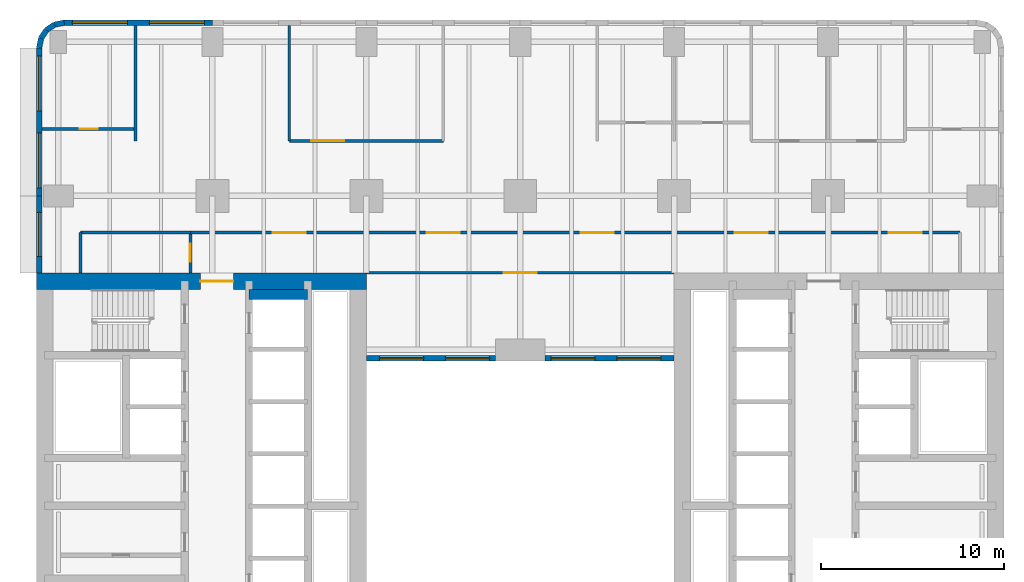
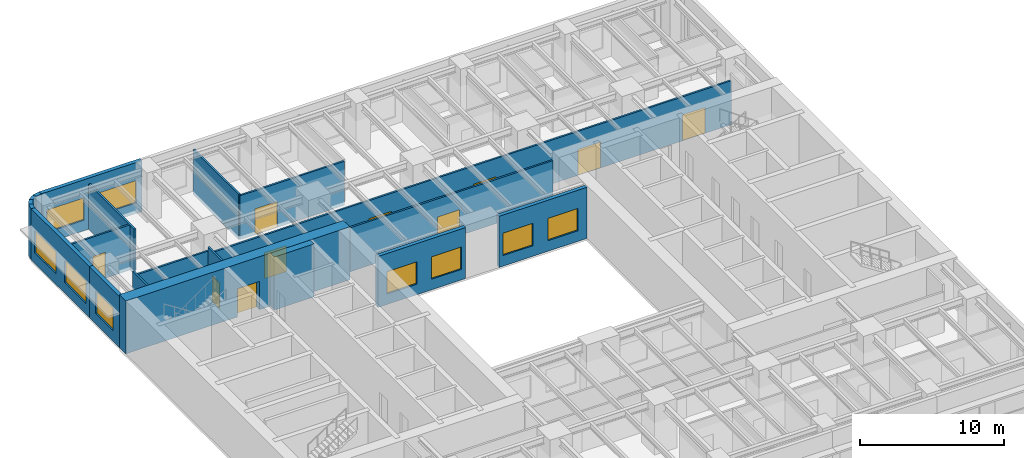
# One storey, part 6 of 14: 20 walls, 10 doors, 9 windows, 19 openings.
"""IFC4 building model written with IfcOpenShell, lengths in metres."""

from ifc_helpers import new_model, si_unit, direction, frame, frame_2d, origin, place, context, subcontext, project, spatial, rectangle, extrude, material, layer, layer_set, type_object, element, fill, save


model = new_model("IFC4")

# Units and contexts
model_context = context("Model", 3, precision=1e-05, world=origin(), true_north=direction((0.0, 1.0)))
body_context = subcontext(model_context, "Body", "Model", "MODEL_VIEW")
ifc_project = project(units=[si_unit("LENGTHUNIT", "METRE"), si_unit("AREAUNIT", "SQUARE_METRE"), si_unit("VOLUMEUNIT", "CUBIC_METRE"), si_unit("PLANEANGLEUNIT", "RADIAN"), si_unit("MASSUNIT", "GRAM", prefix="KILO")], contexts=[model_context])

# Site, building, storey
site_placement = place(None, origin())
site = spatial("IfcSite", under=ifc_project, at=site_placement, CompositionType="ELEMENT")
building_placement = place(site_placement, origin())
building = spatial("IfcBuilding", under=site, at=building_placement, Name="Claustro Exchange Tower", CompositionType="ELEMENT")
storey_placement = place(building_placement, frame((0.0, 0.0, 32.39990234375)))
storey = spatial("IfcBuildingStorey", under=building, at=storey_placement, Name="L07", CompositionType="ELEMENT", Elevation=32.39990234375)

# Wall, opening, door
ifc_material_1 = material(Name="Gypsum board on steel studs", Category="steel")
ifc_layer_1 = layer(ifc_material_1, 0.14990234375)
ifc_layer_set_1 = layer_set([ifc_layer_1], Name="Gypsum board on steel studs")
wall_type_1 = type_object("IfcWallType", Name="P1 150 plasterboard partition", PredefinedType="PARTITIONING", material=ifc_layer_set_1)
wall_1_placement = place(storey_placement, frame((-0.902099609375, 45.64990234375, 0.0), z_axis=(0.0, 0.0, 1.0), x_axis=(1.0, 0.0, 0.0)))
wall_1 = element("IfcWall", 1, at=wall_1_placement, inside=storey, type_object=wall_type_1, Name="Partition P1 L07", PredefinedType="PARTITIONING", context=body_context, shape_type="SweptSolid", body=[
    extrude(rectangle(XDim=5.028076171875, YDim=0.14990234375, at=frame_2d((2.51416015625, 0.0))), origin(), (0.0, 0.0, 1.0), 3.840087890625),
])
opening_1_placement = place(wall_1_placement, frame((2.052001953125, 0.0, 0.0)))
opening_1 = element("IfcOpeningElement", 2, at=opening_1_placement, cuts=wall_1, Name="Opening D1", PredefinedType="OPENING", context=body_context, shape_type="SweptSolid", body=[
    extrude(rectangle(XDim=1.0, YDim=2.199951171875, at=frame_2d((0.5, 1.10009765625))), frame((0.0, 0.0849609375, 0.0), z_axis=(0.0, -1.0, 0.0), x_axis=(1.0, 0.0, 0.0)), (0.0, 0.0, 1.0), 0.169921875),
])
ifc_material_2 = material(Name="Timber door, oak veneer", Category="wood")
door_type_1 = type_object("IfcDoorType", Name="D1 1000 x 2200 single door", OperationType="SINGLE_SWING_LEFT", PredefinedType="DOOR", material=ifc_material_2)
door_1_placement = place(opening_1_placement, origin())
door_1 = element("IfcDoor", 3, at=door_1_placement, inside=storey, type_object=door_type_1, Name="Door D1 L07", OperationType="SINGLE_SWING_RIGHT", OverallHeight=2.199951171875, OverallWidth=1.0, PredefinedType="DOOR", context=body_context, shape_type="SweptSolid", body=[
    extrude(rectangle(XDim=1.0, YDim=2.199951171875, at=frame_2d((0.5, 1.10009765625))), frame((0.0, 0.02490234375, 0.0), z_axis=(0.0, -1.0, 0.0), x_axis=(1.0, 0.0, 0.0)), (0.0, 0.0, 1.0), 0.050048828125),
])
fill(opening_1, door_1)

# Wall
wall_2_placement = place(storey_placement, frame((4.199951171875, 45.0, 0.0), z_axis=(0.0, 0.0, 1.0), x_axis=(0.0, 1.0, 0.0)))
element("IfcWall", 4, at=wall_2_placement, inside=storey, type_object=wall_type_1, Name="Partition P1 L07", PredefinedType="PARTITIONING", context=body_context, shape_type="SweptSolid", body=[
    extrude(rectangle(XDim=6.302001953125, YDim=0.14990234375, at=frame_2d((3.15087890625, 0.0))), origin(), (0.0, 0.0, 1.0), 3.840087890625),
])

# Wall, opening, door
wall_3_placement = place(storey_placement, frame((12.60009765625, 45.0, 0.0), z_axis=(0.0, 0.0, 1.0), x_axis=(1.0, 0.0, 0.0)))
wall_3 = element("IfcWall", 5, at=wall_3_placement, inside=storey, type_object=wall_type_1, Name="Partition P1 L07", PredefinedType="PARTITIONING", context=body_context, shape_type="SweptSolid", body=[
    extrude(rectangle(XDim=8.39990234375, YDim=0.14990234375, at=frame_2d((4.199951171875, 0.0))), origin(), (0.0, 0.0, 1.0), 3.739990234375),
])
opening_2_placement = place(wall_3_placement, frame((1.199951171875, 0.0, 0.0)))
opening_2 = element("IfcOpeningElement", 6, at=opening_2_placement, cuts=wall_3, Name="Opening D2", PredefinedType="OPENING", context=body_context, shape_type="SweptSolid", body=[
    extrude(rectangle(XDim=1.800048828125, YDim=2.199951171875, at=frame_2d((0.89990234375, 1.10009765625))), frame((0.0, 0.0849609375, 0.0), z_axis=(0.0, -1.0, 0.0), x_axis=(1.0, 0.0, 0.0)), (0.0, 0.0, 1.0), 0.169921875),
])
ifc_material_3 = material(Name="Timber door, oak veneer", Category="wood")
door_type_2 = type_object("IfcDoorType", Name="D2 1800 x 2200 double door", OperationType="DOUBLE_DOOR_SINGLE_SWING", PredefinedType="DOOR", material=ifc_material_3)
door_2_placement = place(opening_2_placement, origin())
door_2 = element("IfcDoor", 7, at=door_2_placement, inside=storey, type_object=door_type_2, Name="Double door D2 L07", OperationType="DOUBLE_DOOR_SINGLE_SWING", OverallHeight=2.199951171875, OverallWidth=1.800048828125, PredefinedType="DOOR", context=body_context, shape_type="SweptSolid", body=[
    extrude(rectangle(XDim=1.800048828125, YDim=2.199951171875, at=frame_2d((0.89990234375, 1.10009765625))), frame((0.0, 0.02490234375, 0.0), z_axis=(0.0, -1.0, 0.0), x_axis=(1.0, 0.0, 0.0)), (0.0, 0.0, 1.0), 0.050048828125),
])
fill(opening_2, door_2)

# Wall
wall_4_placement = place(storey_placement, frame((12.60009765625, 45.0, 0.0), z_axis=(0.0, 0.0, 1.0), x_axis=(0.0, 1.0, 0.0)))
element("IfcWall", 8, at=wall_4_placement, inside=storey, type_object=wall_type_1, Name="Partition P1 L07", PredefinedType="PARTITIONING", context=body_context, shape_type="SweptSolid", body=[
    extrude(rectangle(XDim=6.302001953125, YDim=0.14990234375, at=frame_2d((3.15087890625, 0.0))), origin(), (0.0, 0.0, 1.0), 3.840087890625),
])

# Wall, openings, doors
wall_5_placement = place(storey_placement, frame((7.197998046875, 40.0, 0.0), z_axis=(0.0, 0.0, 1.0), x_axis=(1.0, 0.0, 0.0)))
wall_5 = element("IfcWall", 9, at=wall_5_placement, inside=storey, type_object=wall_type_1, Name="Partition P1 L07", PredefinedType="PARTITIONING", context=body_context, shape_type="SweptSolid", body=[
    extrude(rectangle(XDim=42.001953125, YDim=0.14990234375, at=frame_2d((21.0009765625, 0.0))), origin(), (0.0, 0.0, 1.0), 3.739990234375),
])
opening_3_placement = place(wall_5_placement, frame((4.501953125, 0.0, 0.0)))
opening_3 = element("IfcOpeningElement", 10, at=opening_3_placement, cuts=wall_5, Name="Opening D2", PredefinedType="OPENING", context=body_context, shape_type="SweptSolid", body=[
    extrude(rectangle(XDim=1.800048828125, YDim=2.199951171875, at=frame_2d((0.89990234375, 1.10009765625))), frame((0.0, 0.0849609375, 0.0), z_axis=(0.0, -1.0, 0.0), x_axis=(1.0, 0.0, 0.0)), (0.0, 0.0, 1.0), 0.169921875),
])
opening_4_placement = place(wall_5_placement, frame((12.902099609375, 0.0, 0.0)))
opening_4 = element("IfcOpeningElement", 11, at=opening_4_placement, cuts=wall_5, Name="Opening D2", PredefinedType="OPENING", context=body_context, shape_type="SweptSolid", body=[
    extrude(rectangle(XDim=1.800048828125, YDim=2.199951171875, at=frame_2d((0.89990234375, 1.10009765625))), frame((0.0, 0.0849609375, 0.0), z_axis=(0.0, -1.0, 0.0), x_axis=(1.0, 0.0, 0.0)), (0.0, 0.0, 1.0), 0.169921875),
])
opening_5_placement = place(wall_5_placement, frame((21.302001953125, 0.0, 0.0)))
opening_5 = element("IfcOpeningElement", 12, at=opening_5_placement, cuts=wall_5, Name="Opening D2", PredefinedType="OPENING", context=body_context, shape_type="SweptSolid", body=[
    extrude(rectangle(XDim=1.800048828125, YDim=2.199951171875, at=frame_2d((0.89990234375, 1.10009765625))), frame((0.0, 0.0849609375, 0.0), z_axis=(0.0, -1.0, 0.0), x_axis=(1.0, 0.0, 0.0)), (0.0, 0.0, 1.0), 0.169921875),
])
opening_6_placement = place(wall_5_placement, frame((29.701904296875, 0.0, 0.0)))
opening_6 = element("IfcOpeningElement", 13, at=opening_6_placement, cuts=wall_5, Name="Opening D2", PredefinedType="OPENING", context=body_context, shape_type="SweptSolid", body=[
    extrude(rectangle(XDim=1.800048828125, YDim=2.199951171875, at=frame_2d((0.89990234375, 1.10009765625))), frame((0.0, 0.0849609375, 0.0), z_axis=(0.0, -1.0, 0.0), x_axis=(1.0, 0.0, 0.0)), (0.0, 0.0, 1.0), 0.169921875),
])
opening_7_placement = place(wall_5_placement, frame((38.10205078125, 0.0, 0.0)))
opening_7 = element("IfcOpeningElement", 14, at=opening_7_placement, cuts=wall_5, Name="Opening D2", PredefinedType="OPENING", context=body_context, shape_type="SweptSolid", body=[
    extrude(rectangle(XDim=1.800048828125, YDim=2.199951171875, at=frame_2d((0.89990234375, 1.10009765625))), frame((0.0, 0.0849609375, 0.0), z_axis=(0.0, -1.0, 0.0), x_axis=(1.0, 0.0, 0.0)), (0.0, 0.0, 1.0), 0.169921875),
])
door_3_placement = place(opening_3_placement, origin())
door_3 = element("IfcDoor", 15, at=door_3_placement, inside=storey, type_object=door_type_2, Name="Double door D2 L07", OperationType="DOUBLE_DOOR_SINGLE_SWING", OverallHeight=2.199951171875, OverallWidth=1.800048828125, PredefinedType="DOOR", context=body_context, shape_type="SweptSolid", body=[
    extrude(rectangle(XDim=1.800048828125, YDim=2.199951171875, at=frame_2d((0.89990234375, 1.10009765625))), frame((0.0, 0.02490234375, 0.0), z_axis=(0.0, -1.0, 0.0), x_axis=(1.0, 0.0, 0.0)), (0.0, 0.0, 1.0), 0.050048828125),
])
fill(opening_3, door_3)
door_4_placement = place(opening_4_placement, origin())
door_4 = element("IfcDoor", 16, at=door_4_placement, inside=storey, type_object=door_type_2, Name="Double door D2 L07", OperationType="DOUBLE_DOOR_SINGLE_SWING", OverallHeight=2.199951171875, OverallWidth=1.800048828125, PredefinedType="DOOR", context=body_context, shape_type="SweptSolid", body=[
    extrude(rectangle(XDim=1.800048828125, YDim=2.199951171875, at=frame_2d((0.89990234375, 1.10009765625))), frame((0.0, 0.02490234375, 0.0), z_axis=(0.0, -1.0, 0.0), x_axis=(1.0, 0.0, 0.0)), (0.0, 0.0, 1.0), 0.050048828125),
])
fill(opening_4, door_4)
door_5_placement = place(opening_5_placement, origin())
door_5 = element("IfcDoor", 17, at=door_5_placement, inside=storey, type_object=door_type_2, Name="Double door D2 L07", OperationType="DOUBLE_DOOR_SINGLE_SWING", OverallHeight=2.199951171875, OverallWidth=1.800048828125, PredefinedType="DOOR", context=body_context, shape_type="SweptSolid", body=[
    extrude(rectangle(XDim=1.800048828125, YDim=2.199951171875, at=frame_2d((0.89990234375, 1.10009765625))), frame((0.0, 0.02490234375, 0.0), z_axis=(0.0, -1.0, 0.0), x_axis=(1.0, 0.0, 0.0)), (0.0, 0.0, 1.0), 0.050048828125),
])
fill(opening_5, door_5)
door_6_placement = place(opening_6_placement, origin())
door_6 = element("IfcDoor", 18, at=door_6_placement, inside=storey, type_object=door_type_2, Name="Double door D2 L07", OperationType="DOUBLE_DOOR_SINGLE_SWING", OverallHeight=2.199951171875, OverallWidth=1.800048828125, PredefinedType="DOOR", context=body_context, shape_type="SweptSolid", body=[
    extrude(rectangle(XDim=1.800048828125, YDim=2.199951171875, at=frame_2d((0.89990234375, 1.10009765625))), frame((0.0, 0.02490234375, 0.0), z_axis=(0.0, -1.0, 0.0), x_axis=(1.0, 0.0, 0.0)), (0.0, 0.0, 1.0), 0.050048828125),
])
fill(opening_6, door_6)
door_7_placement = place(opening_7_placement, origin())
door_7 = element("IfcDoor", 19, at=door_7_placement, inside=storey, type_object=door_type_2, Name="Double door D2 L07", OperationType="DOUBLE_DOOR_SINGLE_SWING", OverallHeight=2.199951171875, OverallWidth=1.800048828125, PredefinedType="DOOR", context=body_context, shape_type="SweptSolid", body=[
    extrude(rectangle(XDim=1.800048828125, YDim=2.199951171875, at=frame_2d((0.89990234375, 1.10009765625))), frame((0.0, 0.02490234375, 0.0), z_axis=(0.0, -1.0, 0.0), x_axis=(1.0, 0.0, 0.0)), (0.0, 0.0, 1.0), 0.050048828125),
])
fill(opening_7, door_7)

# Wall, opening, door
wall_6_placement = place(storey_placement, frame((7.199951171875, 37.800048828125, 0.0), z_axis=(0.0, 0.0, 1.0), x_axis=(0.0, 1.0, 0.0)))
wall_6 = element("IfcWall", 20, at=wall_6_placement, inside=storey, type_object=wall_type_1, Name="Partition P1 L07", PredefinedType="PARTITIONING", context=body_context, shape_type="SweptSolid", body=[
    extrude(rectangle(XDim=2.1259765625, YDim=0.14990234375, at=frame_2d((1.06298828125, 0.0))), origin(), (0.0, 0.0, 1.0), 4.340087890625),
])
opening_8_placement = place(wall_6_placement, frame((0.60009765625, 0.0, 0.0)))
opening_8 = element("IfcOpeningElement", 21, at=opening_8_placement, cuts=wall_6, Name="Opening D1", PredefinedType="OPENING", context=body_context, shape_type="SweptSolid", body=[
    extrude(rectangle(XDim=1.0, YDim=2.199951171875, at=frame_2d((0.5, 1.10009765625))), frame((0.0, 0.0849609375, 0.0), z_axis=(0.0, -1.0, 0.0), x_axis=(1.0, 0.0, 0.0)), (0.0, 0.0, 1.0), 0.169921875),
])
door_8_placement = place(opening_8_placement, origin())
door_8 = element("IfcDoor", 22, at=door_8_placement, inside=storey, type_object=door_type_1, Name="Door D1 L07", OperationType="SINGLE_SWING_LEFT", OverallHeight=2.199951171875, OverallWidth=1.0, PredefinedType="DOOR", context=body_context, shape_type="SweptSolid", body=[
    extrude(rectangle(XDim=1.0, YDim=2.199951171875, at=frame_2d((0.5, 1.10009765625))), frame((0.0, 0.02490234375, 0.0), z_axis=(0.0, -1.0, 0.0), x_axis=(1.0, 0.0, 0.0)), (0.0, 0.0, 1.0), 0.050048828125),
])
fill(opening_8, door_8)

# Walls
wall_7_placement = place(storey_placement, frame((1.199951171875, 40.0, 0.0), z_axis=(0.0, 0.0, 1.0), x_axis=(1.0, 0.0, 0.0)))
element("IfcWall", 23, at=wall_7_placement, inside=storey, type_object=wall_type_1, Name="Partition P1 L07", PredefinedType="PARTITIONING", context=body_context, shape_type="SweptSolid", body=[
    extrude(rectangle(XDim=6.001953125, YDim=0.14990234375, at=frame_2d((3.0009765625, 0.0))), origin(), (0.0, 0.0, 1.0), 3.97998046875),
])
wall_8_placement = place(storey_placement, frame((1.199951171875, 37.800048828125, 0.0), z_axis=(0.0, 0.0, 1.0), x_axis=(0.0, 1.0, 0.0)))
element("IfcWall", 24, at=wall_8_placement, inside=storey, type_object=wall_type_1, Name="Partition P1 L07", PredefinedType="PARTITIONING", context=body_context, shape_type="SweptSolid", body=[
    extrude(rectangle(XDim=2.199951171875, YDim=0.14990234375, at=frame_2d((1.10009765625, 0.0))), origin(), (0.0, 0.0, 1.0), 4.340087890625),
])

# Wall, opening, door
wall_9_placement = place(storey_placement, frame((16.798095703125, 37.800048828125, 0.0), z_axis=(0.0, 0.0, 1.0), x_axis=(1.0, 0.0, 0.0)))
wall_9 = element("IfcWall", 25, at=wall_9_placement, inside=storey, type_object=wall_type_1, Name="Partition P1 L07", PredefinedType="PARTITIONING", context=body_context, shape_type="SweptSolid", body=[
    extrude(rectangle(XDim=16.803955078125, YDim=0.14990234375, at=frame_2d((8.40185546875, 0.0))), origin(), (0.0, 0.0, 1.0), 3.739990234375),
])
opening_9_placement = place(wall_9_placement, frame((7.501953125, 0.0, 0.0)))
opening_9 = element("IfcOpeningElement", 26, at=opening_9_placement, cuts=wall_9, Name="Opening D2", PredefinedType="OPENING", context=body_context, shape_type="SweptSolid", body=[
    extrude(rectangle(XDim=1.800048828125, YDim=2.199951171875, at=frame_2d((0.89990234375, 1.10009765625))), frame((0.0, 0.0849609375, 0.0), z_axis=(0.0, -1.0, 0.0), x_axis=(1.0, 0.0, 0.0)), (0.0, 0.0, 1.0), 0.169921875),
])
door_9_placement = place(opening_9_placement, origin())
door_9 = element("IfcDoor", 27, at=door_9_placement, inside=storey, type_object=door_type_2, Name="Double door D2 L07", OperationType="DOUBLE_DOOR_SINGLE_SWING", OverallHeight=2.199951171875, OverallWidth=1.800048828125, PredefinedType="DOOR", context=body_context, shape_type="SweptSolid", body=[
    extrude(rectangle(XDim=1.800048828125, YDim=2.199951171875, at=frame_2d((0.89990234375, 1.10009765625))), frame((0.0, 0.02490234375, 0.0), z_axis=(0.0, -1.0, 0.0), x_axis=(1.0, 0.0, 0.0)), (0.0, 0.0, 1.0), 0.050048828125),
])
fill(opening_9, door_9)

# Wall, opening, window
ifc_material_4 = material(Name="Concrete HA-40 (C40/50), precast, white cement, acid-etched", Category="concrete")
ifc_layer_2 = layer(ifc_material_4, 0.300048828125)
ifc_layer_set_2 = layer_set([ifc_layer_2], Name="Concrete HA-40 (C40/50), precast, white cement, acid-etched")
wall_type_2 = type_object("IfcWallType", Name="PC1 300 precast concrete pier panel", PredefinedType="SOLIDWALL", material=ifc_layer_set_2)
wall_10_placement = place(storey_placement, frame((-1.050048828125, 37.800048828125, 0.0), z_axis=(0.0, 0.0, 1.0), x_axis=(0.0, 1.0, 0.0)))
wall_10 = element("IfcWall", 28, at=wall_10_placement, inside=storey, type_object=wall_type_2, Name="Precast pier panel PC1 L07", PredefinedType="SOLIDWALL", context=body_context, shape_type="SweptSolid", body=[
    extrude(rectangle(XDim=4.199951171875, YDim=0.300048828125, at=frame_2d((2.10009765625, 0.0))), origin(), (0.0, 0.0, 1.0), 4.340087890625),
])
opening_10_placement = place(wall_10_placement, frame((0.89990234375, 0.0, 0.89990234375)))
opening_10 = element("IfcOpeningElement", 29, at=opening_10_placement, cuts=wall_10, Name="Opening W2", PredefinedType="OPENING", context=body_context, shape_type="SweptSolid", body=[
    extrude(rectangle(XDim=2.39990234375, YDim=1.89990234375, at=frame_2d((1.199951171875, 0.949951171875))), frame((0.0, 0.159912109375, 0.0), z_axis=(0.0, -1.0, 0.0), x_axis=(1.0, 0.0, 0.0)), (0.0, 0.0, 1.0), 0.320068359375),
])
ifc_material_5 = material(Name="Aluminium frame, clear double glazing", Category="aluminium")
window_type_1 = type_object("IfcWindowType", Name="W2 2400 x 1900 window", PartitioningType="SINGLE_PANEL", PredefinedType="WINDOW", material=ifc_material_5)
window_1_placement = place(opening_10_placement, origin())
window_1 = element("IfcWindow", 30, at=window_1_placement, inside=storey, type_object=window_type_1, Name="Window W2 L07", OverallHeight=1.89990234375, OverallWidth=2.39990234375, PartitioningType="SINGLE_PANEL", PredefinedType="WINDOW", context=body_context, shape_type="SweptSolid", body=[
    extrude(rectangle(XDim=2.39990234375, YDim=1.89990234375, at=frame_2d((1.199951171875, 0.949951171875))), frame((0.0, 0.030029296875, 0.0), z_axis=(0.0, -1.0, 0.0), x_axis=(1.0, 0.0, 0.0)), (0.0, 0.0, 1.0), 0.06005859375),
])
fill(opening_10, window_1)

# Wall, openings, windows
wall_11_placement = place(storey_placement, frame((-1.050048828125, 42.0, 0.0), z_axis=(0.0, 0.0, 1.0), x_axis=(0.0, 1.0, 0.0)))
wall_11 = element("IfcWall", 31, at=wall_11_placement, inside=storey, type_object=wall_type_2, Name="Precast pier panel PC1 L07", PredefinedType="SOLIDWALL", context=body_context, shape_type="SweptSolid", body=[
    extrude(rectangle(XDim=8.085205078125, YDim=0.300048828125, at=frame_2d((4.04248046875, 0.0))), origin(), (0.0, 0.0, 1.0), 4.340087890625),
])
opening_11_placement = place(wall_11_placement, frame((0.442626953125, 0.0, 0.89990234375)))
opening_11 = element("IfcOpeningElement", 32, at=opening_11_placement, cuts=wall_11, Name="Opening W1", PredefinedType="OPENING", context=body_context, shape_type="SweptSolid", body=[
    extrude(rectangle(XDim=3.0, YDim=1.89990234375, at=frame_2d((1.5, 0.949951171875))), frame((0.0, 0.159912109375, 0.0), z_axis=(0.0, -1.0, 0.0), x_axis=(1.0, 0.0, 0.0)), (0.0, 0.0, 1.0), 0.320068359375),
])
opening_12_placement = place(wall_11_placement, frame((4.642578125, 0.0, 0.89990234375)))
opening_12 = element("IfcOpeningElement", 33, at=opening_12_placement, cuts=wall_11, Name="Opening W1", PredefinedType="OPENING", context=body_context, shape_type="SweptSolid", body=[
    extrude(rectangle(XDim=3.0, YDim=1.89990234375, at=frame_2d((1.5, 0.949951171875))), frame((0.0, 0.159912109375, 0.0), z_axis=(0.0, -1.0, 0.0), x_axis=(1.0, 0.0, 0.0)), (0.0, 0.0, 1.0), 0.320068359375),
])
ifc_material_6 = material(Name="Aluminium frame, clear double glazing", Category="aluminium")
window_type_2 = type_object("IfcWindowType", Name="W1 3000 x 1900 window", PartitioningType="SINGLE_PANEL", PredefinedType="WINDOW", material=ifc_material_6)
window_2_placement = place(opening_11_placement, origin())
window_2 = element("IfcWindow", 34, at=window_2_placement, inside=storey, type_object=window_type_2, Name="Window W1 L07", OverallHeight=1.89990234375, OverallWidth=3.0, PartitioningType="SINGLE_PANEL", PredefinedType="WINDOW", context=body_context, shape_type="SweptSolid", body=[
    extrude(rectangle(XDim=3.0, YDim=1.89990234375, at=frame_2d((1.5, 0.949951171875))), frame((0.0, 0.030029296875, 0.0), z_axis=(0.0, -1.0, 0.0), x_axis=(1.0, 0.0, 0.0)), (0.0, 0.0, 1.0), 0.06005859375),
])
fill(opening_11, window_2)
window_3_placement = place(opening_12_placement, origin())
window_3 = element("IfcWindow", 35, at=window_3_placement, inside=storey, type_object=window_type_2, Name="Window W1 L07", OverallHeight=1.89990234375, OverallWidth=3.0, PartitioningType="SINGLE_PANEL", PredefinedType="WINDOW", context=body_context, shape_type="SweptSolid", body=[
    extrude(rectangle(XDim=3.0, YDim=1.89990234375, at=frame_2d((1.5, 0.949951171875))), frame((0.0, 0.030029296875, 0.0), z_axis=(0.0, -1.0, 0.0), x_axis=(1.0, 0.0, 0.0)), (0.0, 0.0, 1.0), 0.06005859375),
])
fill(opening_12, window_3)

# Walls
wall_12_placement = place(storey_placement, frame((-1.050048828125, 50.085205078125, 0.0), z_axis=(0.0, 0.0, 1.0), x_axis=(0.195073962632, 0.980788534345, 0.0)))
element("IfcWall", 36, at=wall_12_placement, inside=storey, type_object=wall_type_2, Name="Precast pier panel PC1 L07", PredefinedType="SOLIDWALL", context=body_context, shape_type="SweptSolid", body=[
    extrude(rectangle(XDim=0.540771484375, YDim=0.300048828125, at=frame_2d((0.2705078125, 0.0))), origin(), (0.0, 0.0, 1.0), 4.340087890625),
])
for number, where, z_axis, x_axis, name in (
    (37, (-0.944580078125, 50.615478515625, 0.0), (0.0, 0.0, 1.0), (0.555557463938, 0.831478144188, 0.0), "Precast pier panel PC1 L07"),
    (38, (-0.652587890625, 51.052490234375, 0.0), (0.0, 0.0, 1.0), (0.831478144188, 0.555557463938, 0.0), "Precast pier panel PC1 L07"),
):
    element("IfcWall", number, at=place(storey_placement, frame(where, z_axis=z_axis, x_axis=x_axis)), inside=storey, type_object=wall_type_2, Name=name, PredefinedType="SOLIDWALL", context=body_context, shape_type="SweptSolid", body=[
        extrude(rectangle(XDim=0.525634765625, YDim=0.300048828125, at=frame_2d((0.2626953125, 0.0))), origin(), (0.0, 0.0, 1.0), 4.340087890625),
    ])
wall_13_placement = place(storey_placement, frame((-0.215576171875, 51.344482421875, 0.0), z_axis=(0.0, 0.0, 1.0), x_axis=(0.980788534345, 0.195073962632, 0.0)))
element("IfcWall", 39, at=wall_13_placement, inside=storey, type_object=wall_type_2, Name="Precast pier panel PC1 L07", PredefinedType="SOLIDWALL", context=body_context, shape_type="SweptSolid", body=[
    extrude(rectangle(XDim=0.540771484375, YDim=0.300048828125, at=frame_2d((0.2705078125, 0.0))), origin(), (0.0, 0.0, 1.0), 4.340087890625),
])

# Wall, openings, windows
wall_14_placement = place(storey_placement, frame((0.314697265625, 51.449951171875, 0.0), z_axis=(0.0, 0.0, 1.0), x_axis=(1.0, 0.0, 0.0)))
wall_14 = element("IfcWall", 40, at=wall_14_placement, inside=storey, type_object=wall_type_2, Name="Precast pier panel PC1 L07", PredefinedType="SOLIDWALL", context=body_context, shape_type="SweptSolid", body=[
    extrude(rectangle(XDim=8.085205078125, YDim=0.300048828125, at=frame_2d((4.04248046875, 0.0))), origin(), (0.0, 0.0, 1.0), 4.340087890625),
])
opening_13_placement = place(wall_14_placement, frame((0.442626953125, 0.0, 0.89990234375)))
opening_13 = element("IfcOpeningElement", 41, at=opening_13_placement, cuts=wall_14, Name="Opening W1", PredefinedType="OPENING", context=body_context, shape_type="SweptSolid", body=[
    extrude(rectangle(XDim=3.0, YDim=1.89990234375, at=frame_2d((1.5, 0.949951171875))), frame((0.0, 0.159912109375, 0.0), z_axis=(0.0, -1.0, 0.0), x_axis=(1.0, 0.0, 0.0)), (0.0, 0.0, 1.0), 0.320068359375),
])
opening_14_placement = place(wall_14_placement, frame((4.642578125, 0.0, 0.89990234375)))
opening_14 = element("IfcOpeningElement", 42, at=opening_14_placement, cuts=wall_14, Name="Opening W1", PredefinedType="OPENING", context=body_context, shape_type="SweptSolid", body=[
    extrude(rectangle(XDim=3.0, YDim=1.89990234375, at=frame_2d((1.5, 0.949951171875))), frame((0.0, 0.159912109375, 0.0), z_axis=(0.0, -1.0, 0.0), x_axis=(1.0, 0.0, 0.0)), (0.0, 0.0, 1.0), 0.320068359375),
])
window_4_placement = place(opening_13_placement, origin())
window_4 = element("IfcWindow", 43, at=window_4_placement, inside=storey, type_object=window_type_2, Name="Window W1 L07", OverallHeight=1.89990234375, OverallWidth=3.0, PartitioningType="SINGLE_PANEL", PredefinedType="WINDOW", context=body_context, shape_type="SweptSolid", body=[
    extrude(rectangle(XDim=3.0, YDim=1.89990234375, at=frame_2d((1.5, 0.949951171875))), frame((0.0, 0.030029296875, 0.0), z_axis=(0.0, -1.0, 0.0), x_axis=(1.0, 0.0, 0.0)), (0.0, 0.0, 1.0), 0.06005859375),
])
fill(opening_13, window_4)
window_5_placement = place(opening_14_placement, origin())
window_5 = element("IfcWindow", 44, at=window_5_placement, inside=storey, type_object=window_type_2, Name="Window W1 L07", OverallHeight=1.89990234375, OverallWidth=3.0, PartitioningType="SINGLE_PANEL", PredefinedType="WINDOW", context=body_context, shape_type="SweptSolid", body=[
    extrude(rectangle(XDim=3.0, YDim=1.89990234375, at=frame_2d((1.5, 0.949951171875))), frame((0.0, 0.030029296875, 0.0), z_axis=(0.0, -1.0, 0.0), x_axis=(1.0, 0.0, 0.0)), (0.0, 0.0, 1.0), 0.06005859375),
])
fill(opening_14, window_5)

wall_15_placement = place(storey_placement, frame((16.800048828125, 33.14990234375, 0.0), z_axis=(0.0, 0.0, 1.0), x_axis=(1.0, 0.0, 0.0)))
wall_15 = element("IfcWall", 45, at=wall_15_placement, inside=storey, type_object=wall_type_2, Name="Precast pier panel PC1 L07", PredefinedType="SOLIDWALL", context=body_context, shape_type="SweptSolid", body=[
    extrude(rectangle(XDim=7.050048828125, YDim=0.300048828125, at=frame_2d((3.52490234375, 0.0))), origin(), (0.0, 0.0, 1.0), 4.340087890625),
])
opening_15_placement = place(wall_15_placement, frame((0.72509765625, 0.0, 0.89990234375)))
opening_15 = element("IfcOpeningElement", 46, at=opening_15_placement, cuts=wall_15, Name="Opening W2", PredefinedType="OPENING", context=body_context, shape_type="SweptSolid", body=[
    extrude(rectangle(XDim=2.39990234375, YDim=1.89990234375, at=frame_2d((1.199951171875, 0.949951171875))), frame((0.0, 0.159912109375, 0.0), z_axis=(0.0, -1.0, 0.0), x_axis=(1.0, 0.0, 0.0)), (0.0, 0.0, 1.0), 0.320068359375),
])
opening_16_placement = place(wall_15_placement, frame((4.324951171875, 0.0, 0.89990234375)))
opening_16 = element("IfcOpeningElement", 47, at=opening_16_placement, cuts=wall_15, Name="Opening W2", PredefinedType="OPENING", context=body_context, shape_type="SweptSolid", body=[
    extrude(rectangle(XDim=2.39990234375, YDim=1.89990234375, at=frame_2d((1.199951171875, 0.949951171875))), frame((0.0, 0.159912109375, 0.0), z_axis=(0.0, -1.0, 0.0), x_axis=(1.0, 0.0, 0.0)), (0.0, 0.0, 1.0), 0.320068359375),
])
window_6_placement = place(opening_15_placement, origin())
window_6 = element("IfcWindow", 48, at=window_6_placement, inside=storey, type_object=window_type_1, Name="Window W2 L07", OverallHeight=1.89990234375, OverallWidth=2.39990234375, PartitioningType="SINGLE_PANEL", PredefinedType="WINDOW", context=body_context, shape_type="SweptSolid", body=[
    extrude(rectangle(XDim=2.39990234375, YDim=1.89990234375, at=frame_2d((1.199951171875, 0.949951171875))), frame((0.0, 0.030029296875, 0.0), z_axis=(0.0, -1.0, 0.0), x_axis=(1.0, 0.0, 0.0)), (0.0, 0.0, 1.0), 0.06005859375),
])
fill(opening_15, window_6)
window_7_placement = place(opening_16_placement, origin())
window_7 = element("IfcWindow", 49, at=window_7_placement, inside=storey, type_object=window_type_1, Name="Window W2 L07", OverallHeight=1.89990234375, OverallWidth=2.39990234375, PartitioningType="SINGLE_PANEL", PredefinedType="WINDOW", context=body_context, shape_type="SweptSolid", body=[
    extrude(rectangle(XDim=2.39990234375, YDim=1.89990234375, at=frame_2d((1.199951171875, 0.949951171875))), frame((0.0, 0.030029296875, 0.0), z_axis=(0.0, -1.0, 0.0), x_axis=(1.0, 0.0, 0.0)), (0.0, 0.0, 1.0), 0.06005859375),
])
fill(opening_16, window_7)

wall_16_placement = place(storey_placement, frame((26.550048828125, 33.14990234375, 0.0), z_axis=(0.0, 0.0, 1.0), x_axis=(1.0, 0.0, 0.0)))
wall_16 = element("IfcWall", 50, at=wall_16_placement, inside=storey, type_object=wall_type_2, Name="Precast pier panel PC1 L07", PredefinedType="SOLIDWALL", context=body_context, shape_type="SweptSolid", body=[
    extrude(rectangle(XDim=7.050048828125, YDim=0.300048828125, at=frame_2d((3.52490234375, 0.0))), origin(), (0.0, 0.0, 1.0), 4.340087890625),
])
opening_17_placement = place(wall_16_placement, frame((0.324951171875, 0.0, 0.89990234375)))
opening_17 = element("IfcOpeningElement", 51, at=opening_17_placement, cuts=wall_16, Name="Opening W2", PredefinedType="OPENING", context=body_context, shape_type="SweptSolid", body=[
    extrude(rectangle(XDim=2.39990234375, YDim=1.89990234375, at=frame_2d((1.199951171875, 0.949951171875))), frame((0.0, 0.159912109375, 0.0), z_axis=(0.0, -1.0, 0.0), x_axis=(1.0, 0.0, 0.0)), (0.0, 0.0, 1.0), 0.320068359375),
])
opening_18_placement = place(wall_16_placement, frame((3.925048828125, 0.0, 0.89990234375)))
opening_18 = element("IfcOpeningElement", 52, at=opening_18_placement, cuts=wall_16, Name="Opening W2", PredefinedType="OPENING", context=body_context, shape_type="SweptSolid", body=[
    extrude(rectangle(XDim=2.39990234375, YDim=1.89990234375, at=frame_2d((1.199951171875, 0.949951171875))), frame((0.0, 0.159912109375, 0.0), z_axis=(0.0, -1.0, 0.0), x_axis=(1.0, 0.0, 0.0)), (0.0, 0.0, 1.0), 0.320068359375),
])
window_8_placement = place(opening_17_placement, origin())
window_8 = element("IfcWindow", 53, at=window_8_placement, inside=storey, type_object=window_type_1, Name="Window W2 L07", OverallHeight=1.89990234375, OverallWidth=2.39990234375, PartitioningType="SINGLE_PANEL", PredefinedType="WINDOW", context=body_context, shape_type="SweptSolid", body=[
    extrude(rectangle(XDim=2.39990234375, YDim=1.89990234375, at=frame_2d((1.199951171875, 0.949951171875))), frame((0.0, 0.030029296875, 0.0), z_axis=(0.0, -1.0, 0.0), x_axis=(1.0, 0.0, 0.0)), (0.0, 0.0, 1.0), 0.06005859375),
])
fill(opening_17, window_8)
window_9_placement = place(opening_18_placement, origin())
window_9 = element("IfcWindow", 54, at=window_9_placement, inside=storey, type_object=window_type_1, Name="Window W2 L07", OverallHeight=1.89990234375, OverallWidth=2.39990234375, PartitioningType="SINGLE_PANEL", PredefinedType="WINDOW", context=body_context, shape_type="SweptSolid", body=[
    extrude(rectangle(XDim=2.39990234375, YDim=1.89990234375, at=frame_2d((1.199951171875, 0.949951171875))), frame((0.0, 0.030029296875, 0.0), z_axis=(0.0, -1.0, 0.0), x_axis=(1.0, 0.0, 0.0)), (0.0, 0.0, 1.0), 0.06005859375),
])
fill(opening_18, window_9)

# Wall, opening, door
ifc_material_7 = material(Name="Concrete HA-70 (C70/85)", Category="concrete")
ifc_layer_3 = layer(ifc_material_7, 0.89990234375)
ifc_layer_set_3 = layer_set([ifc_layer_3], Name="Concrete HA-70 (C70/85)")
wall_type_3 = type_object("IfcWallType", Name="SW1 900 core shear wall", PredefinedType="SHEAR", material=ifc_layer_set_3)
wall_17_placement = place(storey_placement, frame((-1.199951171875, 37.35009765625, 0.0), z_axis=(0.0, 0.0, 1.0), x_axis=(1.0, 0.0, 0.0)))
wall_17 = element("IfcWall", 55, at=wall_17_placement, inside=storey, type_object=wall_type_3, Name="Core wall SW1 W core N face L07", PredefinedType="SHEAR", context=body_context, shape_type="SweptSolid", body=[
    extrude(rectangle(XDim=18.0, YDim=0.89990234375, at=frame_2d((9.0, 0.0))), origin(), (0.0, 0.0, 1.0), 4.5),
])
opening_19_placement = place(wall_17_placement, frame((8.949951171875, 0.0, 0.0)))
opening_19 = element("IfcOpeningElement", 56, at=opening_19_placement, cuts=wall_17, Name="Opening D3", PredefinedType="OPENING", context=body_context, shape_type="SweptSolid", body=[
    extrude(rectangle(XDim=1.800048828125, YDim=2.39990234375, at=frame_2d((0.89990234375, 1.199951171875))), frame((0.0, 0.4599609375, 0.0), z_axis=(0.0, -1.0, 0.0), x_axis=(1.0, 0.0, 0.0)), (0.0, 0.0, 1.0), 0.919921875),
])
ifc_material_8 = material(Name="Steel fire door, painted", Category="steel")
door_type_3 = type_object("IfcDoorType", Name="D3 1800 x 2400 fire-rated lobby double door", OperationType="DOUBLE_DOOR_SINGLE_SWING", PredefinedType="DOOR", material=ifc_material_8)
door_10_placement = place(opening_19_placement, frame((1.800048828125, 0.0, 0.0), z_axis=(0.0, 0.0, 1.0), x_axis=(-1.0, 0.0, 0.0)))
door_10 = element("IfcDoor", 57, at=door_10_placement, inside=storey, type_object=door_type_3, Name="Lift lobby door D3 L07", OperationType="DOUBLE_DOOR_SINGLE_SWING", OverallHeight=2.39990234375, OverallWidth=1.800048828125, PredefinedType="DOOR", context=body_context, shape_type="SweptSolid", body=[
    extrude(rectangle(XDim=1.800048828125, YDim=2.39990234375, at=frame_2d((0.89990234375, 1.199951171875))), frame((0.0, 0.02490234375, 0.0), z_axis=(0.0, -1.0, 0.0), x_axis=(1.0, 0.0, 0.0)), (0.0, 0.0, 1.0), 0.050048828125),
])
fill(opening_19, door_10)

# Wall
ifc_material_9 = material(Name="Concrete HA-50 (C50/60)", Category="concrete")
ifc_layer_4 = layer(ifc_material_9, 0.550048828125)
ifc_layer_set_4 = layer_set([ifc_layer_4], Name="Concrete HA-50 (C50/60)")
wall_type_4 = type_object("IfcWallType", Name="SW6 550 lift shaft end wall", PredefinedType="SHEAR", material=ifc_layer_set_4)
wall_18_placement = place(storey_placement, frame((10.39990234375, 36.625, 0.0), z_axis=(0.0, 0.0, 1.0), x_axis=(1.0, 0.0, 0.0)))
element("IfcWall", 58, at=wall_18_placement, inside=storey, type_object=wall_type_4, Name="Lift shaft wall W core L07", PredefinedType="SHEAR", context=body_context, shape_type="SweptSolid", body=[
    extrude(rectangle(XDim=3.2001953125, YDim=0.550048828125, at=frame_2d((1.60009765625, 0.0))), origin(), (0.0, 0.0, 1.0), 4.5),
])

save(model, "model.ifc")
